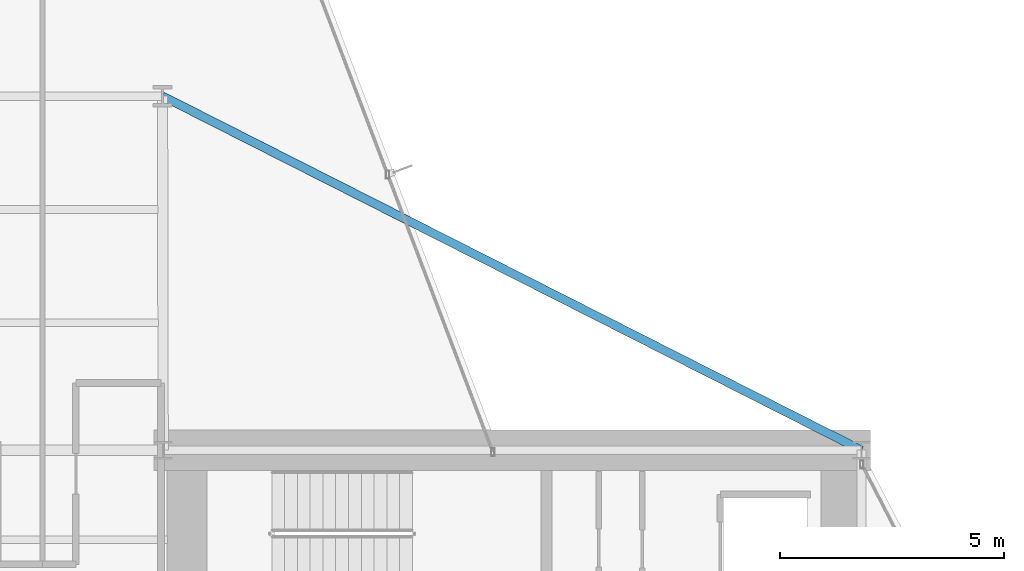
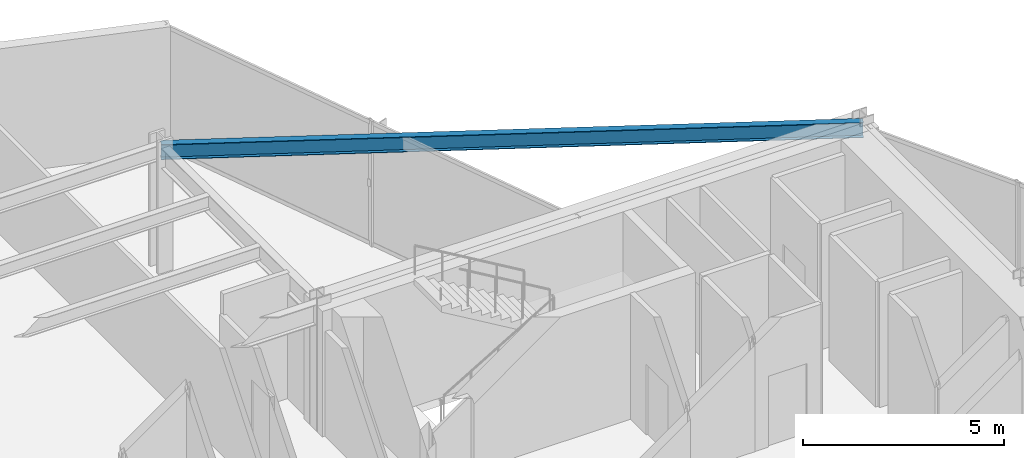
# One storey, part 21 of 29: 1 beam.
"""IFC4 building model written with IfcOpenShell, lengths in metres."""

from ifc_helpers import new_model, si_unit, direction, frame, origin, origin_2d, place, context, subcontext, project, spatial, i_section, extrude, material, material_profile, profile_set, type_object, element, save


model = new_model("IFC4")

# Units and contexts
model_context = context("Model", 3, precision=1e-05, world=origin(), true_north=direction((0.0, 1.0)))
body_context = subcontext(model_context, "Body", "Model", "MODEL_VIEW")
ifc_project = project(units=[si_unit("LENGTHUNIT", "METRE"), si_unit("AREAUNIT", "SQUARE_METRE"), si_unit("VOLUMEUNIT", "CUBIC_METRE"), si_unit("PLANEANGLEUNIT", "RADIAN"), si_unit("MASSUNIT", "GRAM", prefix="KILO")], contexts=[model_context])

# Site, building, storey
site_placement = place(None, origin())
site = spatial("IfcSite", under=ifc_project, at=site_placement, CompositionType="ELEMENT")
building_placement = place(site_placement, origin())
building = spatial("IfcBuilding", under=site, at=building_placement, Name="Veymaron Broadcast Tower", CompositionType="ELEMENT")
storey_placement = place(building_placement, frame((0.0, 0.0, 41.85009765625)))
storey = spatial("IfcBuildingStorey", under=building, at=storey_placement, Name="L08", CompositionType="ELEMENT", Elevation=41.85009765625)

# Beam
ifc_material = material(Name="Structural steel ASTM A992 Gr 50", Category="steel")
ifc_material_profile = material_profile(ifc_material, i_section(OverallWidth=0.19091796875, OverallDepth=0.4599609375, WebThickness=0.010009765625, FlangeThickness=0.01611328125, at=origin_2d()), Name="W460X82")
ifc_profile_set = profile_set([ifc_material_profile], Name="Structural steel ASTM A992 Gr 50")
beam_type = type_object("IfcBeamType", Name="BM-SP1", PredefinedType="SPANDREL", material=ifc_profile_set)
beam_placement = place(storey_placement, frame((54.60009765625, 32.0, 3.579833984375), z_axis=(-0.892074535594, 0.451888285913, 0.0), x_axis=(-0.451888285913, -0.892074535594, 0.0)))
element("IfcBeam", 1, at=beam_placement, inside=storey, type_object=beam_type, Name="L08 primary structural floor girder", PredefinedType="SPANDREL", context=body_context, shape_type="SweptSolid", body=[
    extrude(i_section(OverallWidth=0.19091796875, OverallDepth=0.4599609375, WebThickness=0.010009765625, FlangeThickness=0.01611328125, at=origin_2d()), origin(), (0.0, 0.0, 1.0), 17.504150390625),
])

save(model, "model.ifc")
